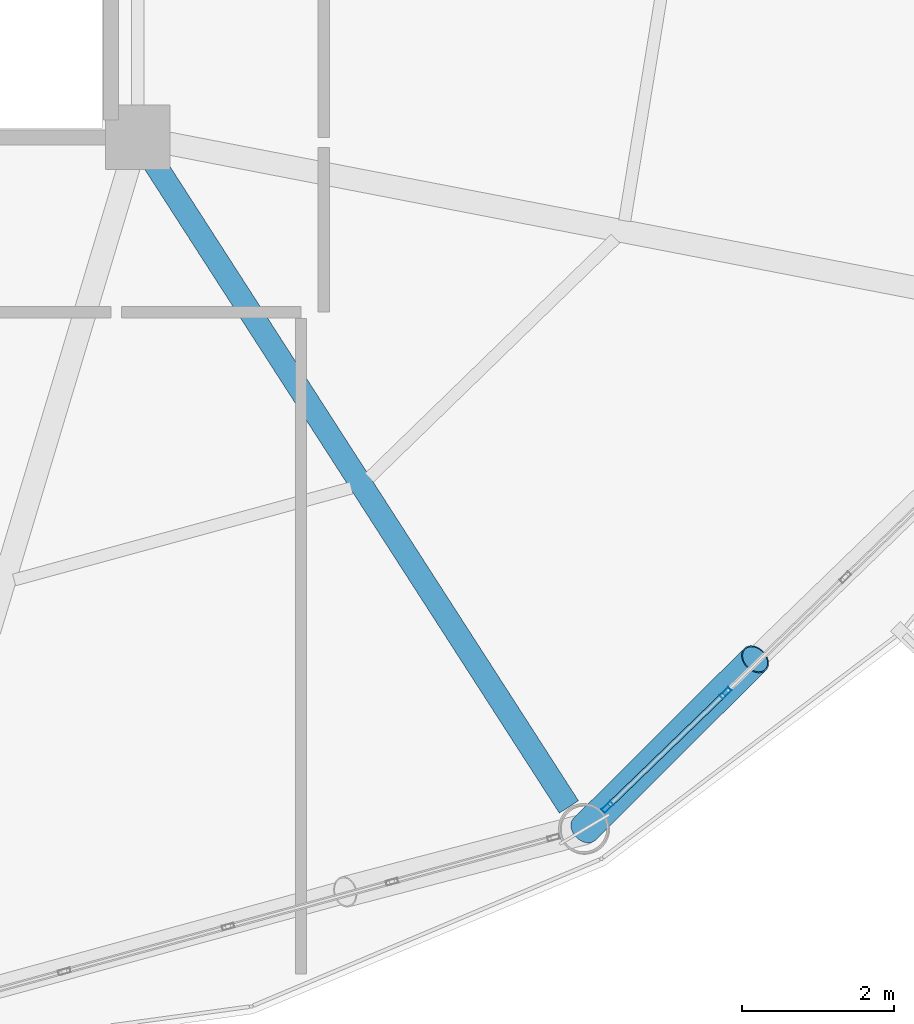
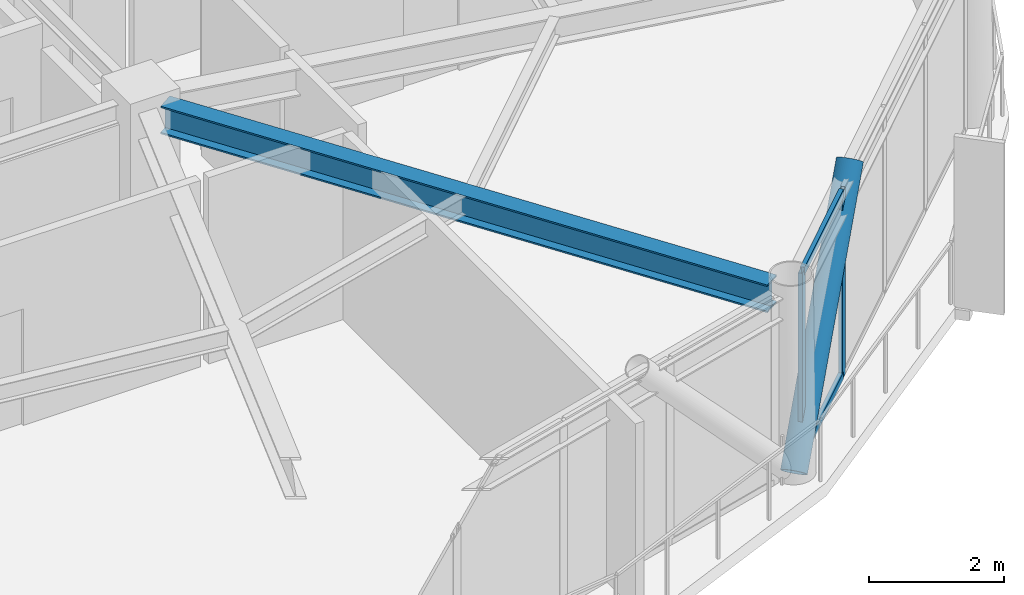
# One storey, part 8 of 28: 5 members, 1 beam, 1 element without a shape of its own.
"""IFC4 building model written with IfcOpenShell, lengths in metres."""

from ifc_helpers import new_model, si_unit, direction, frame, origin, origin_2d, place, context, subcontext, project, spatial, hollow_rectangle, hollow_circle, i_section, extrude, material, layer, layer_set, material_profile, profile_set, type_object, element, aggregate, save


model = new_model("IFC4")

# Units and contexts
model_context = context("Model", 3, precision=1e-05, world=origin(), true_north=direction((0.0, 1.0)))
body_context = subcontext(model_context, "Body", "Model", "MODEL_VIEW")
ifc_project = project(units=[si_unit("LENGTHUNIT", "METRE"), si_unit("AREAUNIT", "SQUARE_METRE"), si_unit("VOLUMEUNIT", "CUBIC_METRE"), si_unit("PLANEANGLEUNIT", "RADIAN"), si_unit("MASSUNIT", "GRAM", prefix="KILO")], contexts=[model_context])

# Site, building, storey
site_placement = place(None, origin())
site = spatial("IfcSite", under=ifc_project, at=site_placement, CompositionType="ELEMENT")
building_placement = place(site_placement, origin())
building = spatial("IfcBuilding", under=site, at=building_placement, Name="Varnakorn Sky Granary", CompositionType="ELEMENT")
storey_placement = place(building_placement, frame((0.0, 0.0, 225.60009765625)))
storey = spatial("IfcBuildingStorey", under=building, at=storey_placement, Name="L57", CompositionType="ELEMENT", Elevation=225.60009765625)

# Beam
ifc_material_1 = material(Name="Steel S355JR", Category="steel")
ifc_material_profile_1 = material_profile(ifc_material_1, i_section(OverallWidth=0.300048828125, OverallDepth=0.5, WebThickness=0.014404296875, FlangeThickness=0.028076171875, at=origin_2d()), Name="HE 500 B")
ifc_profile_set_1 = profile_set([ifc_material_profile_1], Name="Steel S355JR")
beam_type = type_object("IfcBeamType", Name="BM-RAD-Z4", PredefinedType="BEAM", material=ifc_profile_set_1)
beam_placement = place(storey_placement, frame((8.5693359375, -6.9404296875, 3.10986328125), z_axis=(0.541510070251, -0.840694262986, 0.0), x_axis=(0.840694262986, 0.541510070251, 0.0)))
element("IfcBeam", 1, at=beam_placement, inside=storey, type_object=beam_type, Name="Radial Floor Girder RG11 L57", PredefinedType="BEAM", context=body_context, shape_type="SweptSolid", body=[
    extrude(i_section(OverallWidth=0.300048828125, OverallDepth=0.5, WebThickness=0.014404296875, FlangeThickness=0.028076171875, at=origin_2d()), origin(), (0.0, 0.0, 1.0), 10.08203125),
])

# Curtain wall, members
ifc_material_2 = material(Name="Anodised Bronze Aluminium Alloy 6063-T6", Category="aluminium")
ifc_layer = layer(ifc_material_2, 0.169921875, Name="Anodised Bronze Aluminium Alloy 6063-T6")
ifc_layer_set = layer_set([ifc_layer], Name="Anodised Bronze Aluminium Alloy 6063-T6")
curtain_wall_type = type_object("IfcCurtainWallType", Name="CW-LAB-1", PredefinedType="USERDEFINED", material=ifc_layer_set)
curtain_wall_placement = place(storey_placement, origin())
curtain_wall = element("IfcCurtainWall", 2, at=curtain_wall_placement, inside=storey, type_object=curtain_wall_type, Name="Unitised Curtain Wall CW5 CW-L57-B11", ObjectType="CURTAIN WALL", PredefinedType="USERDEFINED")
ifc_material_profile_2 = material_profile(ifc_material_2, hollow_rectangle(XDim=0.06494140625, YDim=0.159912109375, WallThickness=0.00341796875, at=origin_2d()), Name="ALU MULL 65x160")
ifc_profile_set_2 = profile_set([ifc_material_profile_2], Name="Anodised Bronze Aluminium Alloy 6063-T6")
member_type_1 = type_object("IfcMemberType", Name="CW-LAB-1-MULL", PredefinedType="MULLION", material=ifc_profile_set_2)
member_1_placement = place(storey_placement, frame((16.091064453125, -13.9150390625, 0.0), z_axis=(0.0, 0.0, 1.0), x_axis=(0.695009134591, -0.719000906004, 0.0)))
member_1 = element("IfcMember", 3, at=member_1_placement, type_object=member_type_1, Name="CW5 mullion 4", PredefinedType="MULLION", context=body_context, shape_type="SweptSolid", body=[
    extrude(hollow_rectangle(XDim=0.06494140625, YDim=0.159912109375, WallThickness=0.00341796875, at=origin_2d()), origin(), (0.0, 0.0, 1.0), 3.35986328125),
])
member_2_placement = place(storey_placement, frame((14.537353515625, -15.4169921875, 0.0), z_axis=(0.0, 0.0, 1.0), x_axis=(0.695009134591, -0.719000906004, 0.0)))
member_2 = element("IfcMember", 4, at=member_2_placement, type_object=member_type_1, Name="CW5 mullion 5", PredefinedType="MULLION", context=body_context, shape_type="SweptSolid", body=[
    extrude(hollow_rectangle(XDim=0.06494140625, YDim=0.159912109375, WallThickness=0.00341796875, at=origin_2d()), origin(), (0.0, 0.0, 1.0), 3.35986328125),
])
ifc_material_profile_3 = material_profile(ifc_material_2, hollow_rectangle(XDim=0.070068359375, YDim=0.139892578125, WallThickness=0.00341796875, at=origin_2d()), Name="ALU TRAN 70x140")
ifc_profile_set_3 = profile_set([ifc_material_profile_3], Name="Anodised Bronze Aluminium Alloy 6063-T6")
member_type_2 = type_object("IfcMemberType", Name="CW-LAB-1-TRAN", PredefinedType="USERDEFINED", material=ifc_profile_set_3)
member_3_placement = place(storey_placement, frame((16.067626953125, -13.9375, 0.034912109375), z_axis=(-0.71900195689, -0.695008047427, 0.0), x_axis=(0.695008047427, -0.71900195689, 0.0)))
member_3 = element("IfcMember", 5, at=member_3_placement, type_object=member_type_2, Name="CW5 transom 4.1", ObjectType="TRANSOM", PredefinedType="USERDEFINED", context=body_context, shape_type="SweptSolid", body=[
    extrude(hollow_rectangle(XDim=0.070068359375, YDim=0.139892578125, WallThickness=0.00341796875, at=origin_2d()), origin(), (0.0, 0.0, 1.0), 2.09619140625),
])
member_4_placement = place(storey_placement, frame((16.067626953125, -13.9375, 3.324951171875), z_axis=(-0.71900195689, -0.695008047427, 0.0), x_axis=(0.695008047427, -0.71900195689, 0.0)))
member_4 = element("IfcMember", 6, at=member_4_placement, type_object=member_type_2, Name="CW5 transom 4.2", ObjectType="TRANSOM", PredefinedType="USERDEFINED", context=body_context, shape_type="SweptSolid", body=[
    extrude(hollow_rectangle(XDim=0.070068359375, YDim=0.139892578125, WallThickness=0.00341796875, at=origin_2d()), origin(), (0.0, 0.0, 1.0), 2.09619140625),
])
aggregate(curtain_wall, [member_1, member_2, member_3, member_4])

# Member
ifc_material_3 = material(Name="Steel S460M", Category="steel")
ifc_material_profile_4 = material_profile(ifc_material_3, hollow_circle(Radius=0.203125, WallThickness=0.01611328125, at=origin_2d()), Name="CHS 406.4x16")
ifc_profile_set_4 = profile_set([ifc_material_profile_4], Name="Steel S460M")
member_type_3 = type_object("IfcMemberType", Name="MB-DIAG-T4", PredefinedType="BRACE", material=ifc_profile_set_4)
member_5_placement = place(storey_placement, frame((14.2333984375, -15.710693359375, 0.0), z_axis=(0.476549577722, 0.47468603386, 0.739982208726), x_axis=(-0.705720150245, 0.708490698272, 0.0)))
element("IfcMember", 7, at=member_5_placement, inside=storey, type_object=member_type_3, Name="Perimeter CHS Diagrid Brace DG11 L57", PredefinedType="BRACE", context=body_context, shape_type="SweptSolid", body=[
    extrude(hollow_circle(Radius=0.203125, WallThickness=0.01611328125, at=origin_2d()), origin(), (0.0, 0.0, 1.0), 4.71630859375),
])

save(model, "model.ifc")
